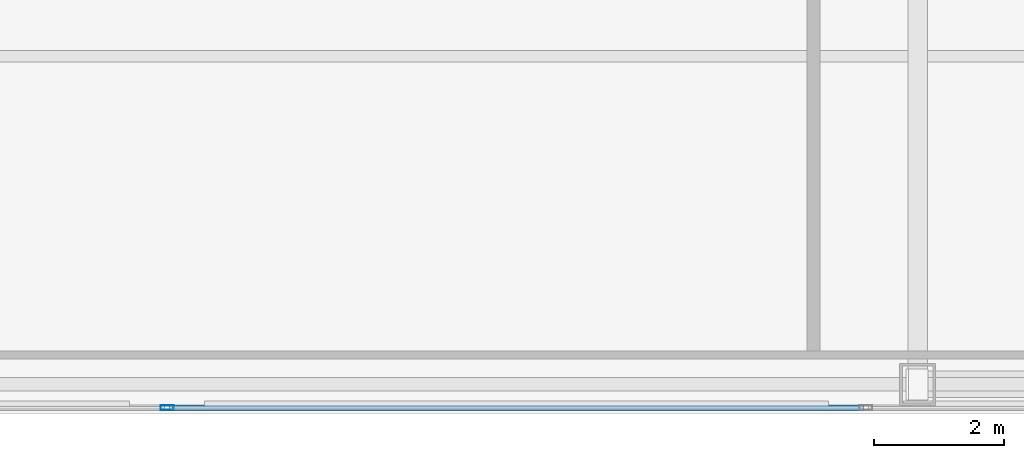
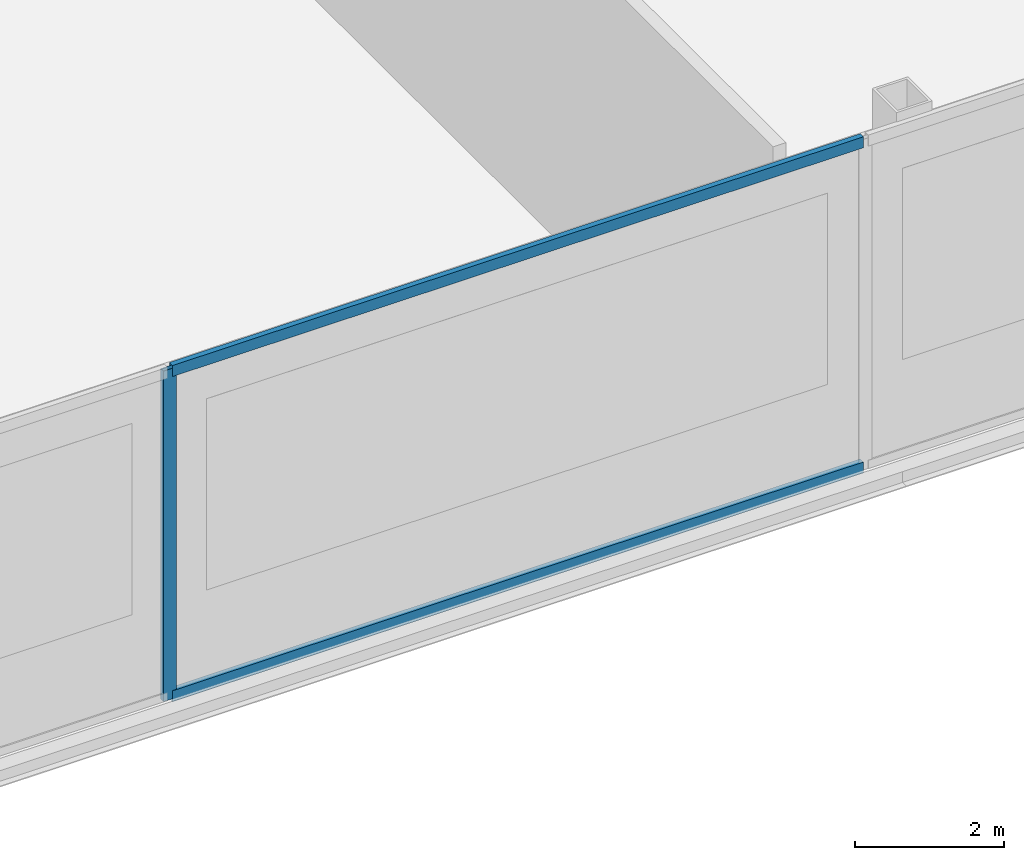
# One storey, part 6 of 22: 3 members, 1 element without a shape of its own.
"""IFC4 building model written with IfcOpenShell, lengths in metres."""

from ifc_helpers import new_model, si_unit, direction, frame, origin, origin_2d, place, context, subcontext, project, spatial, hollow_rectangle, extrude, material, material_profile, profile_set, type_object, element, aggregate, save


model = new_model("IFC4")

# Units and contexts
model_context = context("Model", 3, precision=1e-05, world=origin(), true_north=direction((0.0, 1.0)))
body_context = subcontext(model_context, "Body", "Model", "MODEL_VIEW")
ifc_project = project(units=[si_unit("LENGTHUNIT", "METRE"), si_unit("AREAUNIT", "SQUARE_METRE"), si_unit("VOLUMEUNIT", "CUBIC_METRE"), si_unit("PLANEANGLEUNIT", "RADIAN"), si_unit("MASSUNIT", "GRAM", prefix="KILO")], contexts=[model_context])

# Site, building, storey
site_placement = place(None, origin())
site = spatial("IfcSite", under=ifc_project, at=site_placement, CompositionType="ELEMENT")
building_placement = place(site_placement, origin())
building = spatial("IfcBuilding", under=site, at=building_placement, Name="Khoronbel Lancet Exchange", CompositionType="ELEMENT")
storey_placement = place(building_placement, frame((0.0, 0.0, 361.800048828125)))
storey = spatial("IfcBuildingStorey", under=building, at=storey_placement, Name="L93", CompositionType="ELEMENT", Elevation=361.800048828125)

# Curtain wall, members
ifc_material_1 = material(Name="Low-E Solar Control Insulating Glass", Category="glass")
curtain_wall_type = type_object("IfcCurtainWallType", Name="CW-6", PredefinedType="NOTDEFINED", material=ifc_material_1)
curtain_wall_placement = place(storey_placement, origin())
curtain_wall = element("IfcCurtainWall", 1, at=curtain_wall_placement, inside=storey, type_object=curtain_wall_type, Name="Unitised curtain wall CW-L93-E12", PredefinedType="NOTDEFINED")
ifc_material_2 = material(Name="Bronze-Anodised Aluminium 6063-T6", Category="aluminium")
ifc_material_profile_1 = material_profile(ifc_material_2, hollow_rectangle(XDim=0.074951171875, YDim=0.199951171875, WallThickness=0.0048828125, at=origin_2d()), Name="ALU MULLION 75x200")
ifc_profile_set_1 = profile_set([ifc_material_profile_1], Name="Bronze-Anodised Aluminium 6063-T6")
member_type_1 = type_object("IfcMemberType", Name="MEM-CWM2", PredefinedType="MULLION", material=ifc_profile_set_1)
member_1_placement = place(storey_placement, frame((36.449951171875, 9.7900390625, 0.0), z_axis=(0.0, 0.0, 1.0), x_axis=(0.0, -1.0, 0.0)))
member_1 = element("IfcMember", 2, at=member_1_placement, type_object=member_type_1, Name="CW6 mullion 3", PredefinedType="MULLION", context=body_context, shape_type="SweptSolid", body=[
    extrude(hollow_rectangle(XDim=0.074951171875, YDim=0.199951171875, WallThickness=0.0048828125, at=origin_2d()), origin(), (0.0, 0.0, 1.0), 5.39990234375),
])
ifc_material_profile_2 = material_profile(ifc_material_2, hollow_rectangle(XDim=0.0849609375, YDim=0.179931640625, WallThickness=0.0048828125, at=origin_2d()), Name="ALU TRANSOM 85x180")
ifc_profile_set_2 = profile_set([ifc_material_profile_2], Name="Bronze-Anodised Aluminium 6063-T6")
member_type_2 = type_object("IfcMemberType", Name="MEM-CWT1", PredefinedType="USERDEFINED", material=ifc_profile_set_2)
member_2_placement = place(storey_placement, frame((47.16748046875, 9.7900390625, 0.04248046875), z_axis=(-1.0, 0.0, 0.0), x_axis=(0.0, -1.0, 0.0)))
member_2 = element("IfcMember", 3, at=member_2_placement, type_object=member_type_2, Name="CW6 transom 2.1", ObjectType="TRANSOM", PredefinedType="USERDEFINED", context=body_context, shape_type="SweptSolid", body=[
    extrude(hollow_rectangle(XDim=0.0849609375, YDim=0.179931640625, WallThickness=0.0048828125, at=origin_2d()), origin(), (0.0, 0.0, 1.0), 10.679931640625),
])
member_3_placement = place(storey_placement, frame((47.16748046875, 9.7900390625, 5.357421875), z_axis=(-1.0, 0.0, 0.0), x_axis=(0.0, -1.0, 0.0)))
member_3 = element("IfcMember", 4, at=member_3_placement, type_object=member_type_2, Name="CW6 transom 2.2", ObjectType="TRANSOM", PredefinedType="USERDEFINED", context=body_context, shape_type="SweptSolid", body=[
    extrude(hollow_rectangle(XDim=0.0849609375, YDim=0.179931640625, WallThickness=0.0048828125, at=origin_2d()), origin(), (0.0, 0.0, 1.0), 10.679931640625),
])
aggregate(curtain_wall, [member_1, member_2, member_3])

save(model, "model.ifc")
